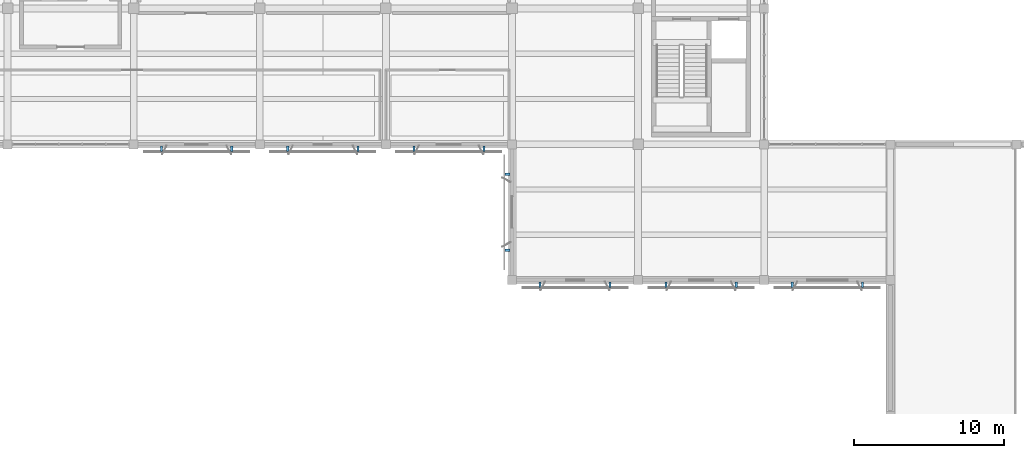
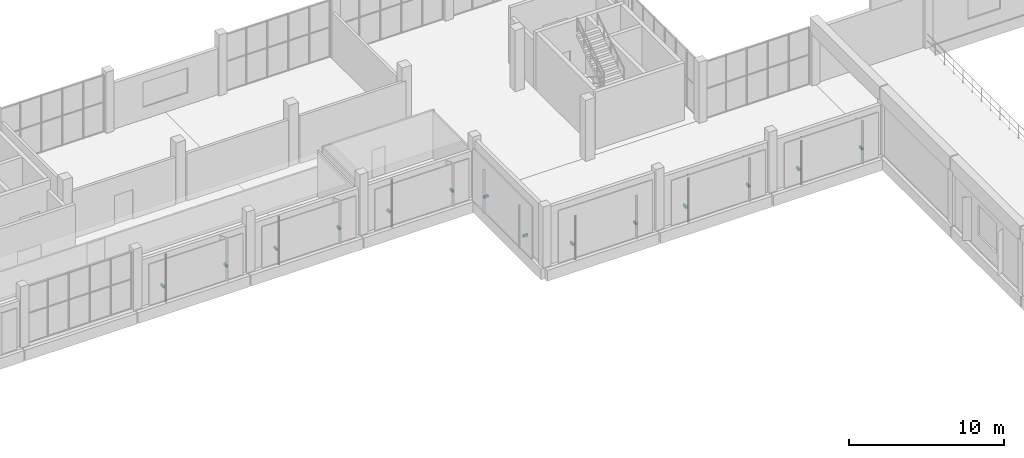
# One storey, part 68 of 80: 14 discrete accessories.
"""IFC4 building model written with IfcOpenShell, lengths in metres."""

from ifc_helpers import new_model, si_unit, direction, frame, origin, origin_2d, place, context, subcontext, project, spatial, rectangle, extrude, material, type_object, element, save


model = new_model("IFC4")

# Units and contexts
model_context = context("Model", 3, precision=1e-05, world=origin(), true_north=direction((0.0, 1.0)))
body_context = subcontext(model_context, "Body", "Model", "MODEL_VIEW")
ifc_project = project(units=[si_unit("LENGTHUNIT", "METRE"), si_unit("AREAUNIT", "SQUARE_METRE"), si_unit("VOLUMEUNIT", "CUBIC_METRE"), si_unit("PLANEANGLEUNIT", "RADIAN"), si_unit("MASSUNIT", "GRAM", prefix="KILO")], contexts=[model_context])

# Site, building, storey
site_placement = place(None, origin())
site = spatial("IfcSite", under=ifc_project, at=site_placement, CompositionType="ELEMENT")
building_placement = place(site_placement, origin())
building = spatial("IfcBuilding", under=site, at=building_placement, Name="Khurvash Pelagic Aquarium", CompositionType="ELEMENT")
storey_placement = place(building_placement, frame((0.0, 0.0, 10.800048828125)))
storey = spatial("IfcBuildingStorey", under=building, at=storey_placement, Name="L02", CompositionType="ELEMENT", Elevation=10.800048828125)

# Discrete accessories
ifc_material = material(Name="Hot-dip galvanised steel S355J2", Category="steel")
discrete_accessory_type = type_object("IfcDiscreteAccessoryType", Name="BK-01", PredefinedType="BRACKET", material=ifc_material)
for number, where, z_axis, x_axis, name in (
    (1, (77.462890625, 83.7451171875, 1.10986328125), (0.0, 0.0, 1.0), (1.0, 0.0, 0.0), "L02 Jali Screen Support Bracket BK-01 0035"),
    (2, (82.136962890625, 83.7451171875, 1.10986328125), (0.0, 0.0, 1.0), (1.0, 0.0, 0.0), "L02 Jali Screen Support Bracket BK-01 0036"),
    (3, (85.863037109375, 83.7451171875, 1.10986328125), (0.0, 0.0, 1.0), (1.0, 0.0, 0.0), "L02 Jali Screen Support Bracket BK-01 0037"),
    (4, (90.537109375, 83.7451171875, 1.10986328125), (0.0, 0.0, 1.0), (1.0, 0.0, 0.0), "L02 Jali Screen Support Bracket BK-01 0038"),
    (5, (94.262939453125, 83.7451171875, 1.10986328125), (0.0, 0.0, 1.0), (1.0, 0.0, 0.0), "L02 Jali Screen Support Bracket BK-01 0039"),
    (6, (98.93701171875, 83.7451171875, 1.10986328125), (0.0, 0.0, 1.0), (1.0, 0.0, 0.0), "L02 Jali Screen Support Bracket BK-01 0040"),
    (7, (100.4951171875, 82.056884765625, 1.10986328125), (0.0, 0.0, 1.0), (0.0, -1.0, 0.0), "L02 Jali Screen Support Bracket BK-01 0041"),
    (8, (100.4951171875, 76.992919921875, 1.10986328125), (0.0, 0.0, 1.0), (0.0, -1.0, 0.0), "L02 Jali Screen Support Bracket BK-01 0042"),
    (9, (102.6630859375, 74.695068359375, 1.10986328125), (0.0, 0.0, 1.0), (1.0, 0.0, 0.0), "L02 Jali Screen Support Bracket BK-01 0043"),
    (10, (107.3369140625, 74.695068359375, 1.10986328125), (0.0, 0.0, 1.0), (1.0, 0.0, 0.0), "L02 Jali Screen Support Bracket BK-01 0044"),
    (11, (111.06298828125, 74.695068359375, 1.10986328125), (0.0, 0.0, 1.0), (1.0, 0.0, 0.0), "L02 Jali Screen Support Bracket BK-01 0045"),
    (12, (115.737060546875, 74.695068359375, 1.10986328125), (0.0, 0.0, 1.0), (1.0, 0.0, 0.0), "L02 Jali Screen Support Bracket BK-01 0046"),
    (13, (119.462890625, 74.695068359375, 1.10986328125), (0.0, 0.0, 1.0), (1.0, 0.0, 0.0), "L02 Jali Screen Support Bracket BK-01 0047"),
    (14, (124.136962890625, 74.695068359375, 1.10986328125), (0.0, 0.0, 1.0), (1.0, 0.0, 0.0), "L02 Jali Screen Support Bracket BK-01 0048"),
):
    element("IfcDiscreteAccessory", number, at=place(storey_placement, frame(where, z_axis=z_axis, x_axis=x_axis)), inside=storey, type_object=discrete_accessory_type, Name=name, PredefinedType="BRACKET", context=body_context, shape_type="SweptSolid", body=[
        extrude(rectangle(XDim=0.139892578125, YDim=0.35009765625, at=origin_2d()), origin(), (0.0, 0.0, 1.0), 0.179931640625),
    ])

save(model, "model.ifc")
